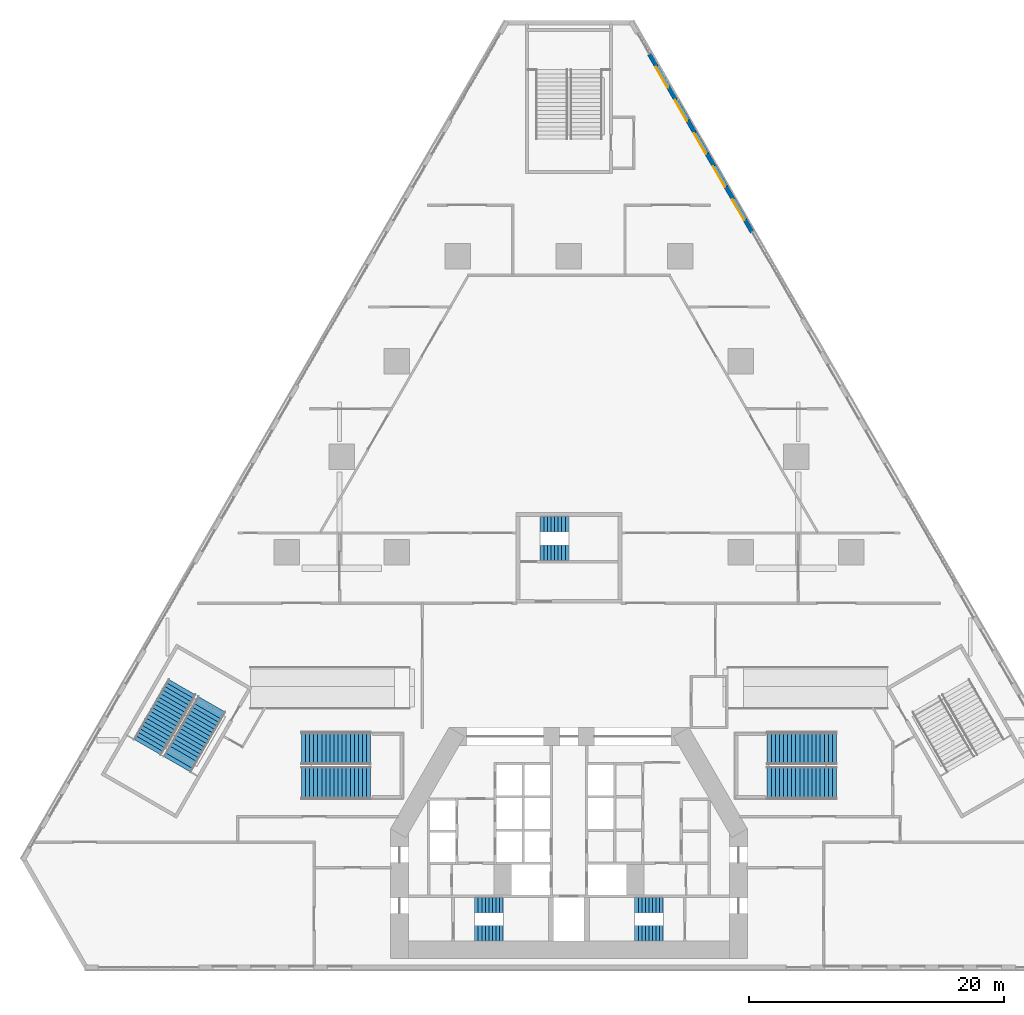
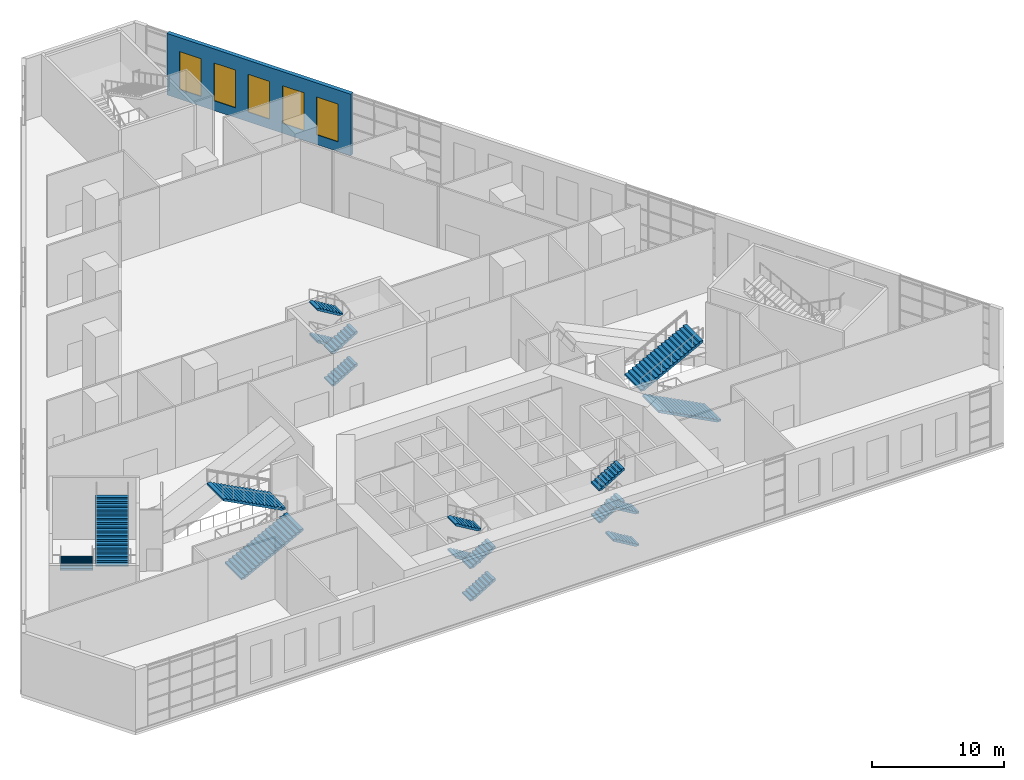
# One storey, part 20 of 27: 18 stair flights, 5 windows, 1 wall, 5 openings, 6 elements without a shape of their own.
"""IFC4 building model written with IfcOpenShell, lengths in metres."""

from ifc_helpers import new_model, si_unit, direction, frame, frame_2d, origin, place, context, subcontext, project, spatial, polyline, rectangle, outline, extrude, material, layer, layer_set, type_object, element, fill, aggregate, save


model = new_model("IFC4")

# Units and contexts
model_context = context("Model", 3, precision=1e-05, world=origin(), true_north=direction((0.0, 1.0)))
body_context = subcontext(model_context, "Body", "Model", "MODEL_VIEW")
ifc_project = project(units=[si_unit("LENGTHUNIT", "METRE"), si_unit("AREAUNIT", "SQUARE_METRE"), si_unit("VOLUMEUNIT", "CUBIC_METRE"), si_unit("PLANEANGLEUNIT", "RADIAN"), si_unit("MASSUNIT", "GRAM", prefix="KILO")], contexts=[model_context])

# Site, building, storey
site_placement = place(None, origin())
site = spatial("IfcSite", under=ifc_project, at=site_placement, CompositionType="ELEMENT")
building_placement = place(site_placement, origin())
building = spatial("IfcBuilding", under=site, at=building_placement, Name="Fogline Exchange Tower", CompositionType="ELEMENT")
storey_placement = place(building_placement, frame((0.0, 0.0, 8.0)))
storey = spatial("IfcBuildingStorey", under=building, at=storey_placement, Name="L01", CompositionType="ELEMENT", Elevation=8.0)

# Wall, openings, windows
ifc_material_1 = material(Name="Brick masonry", Category="masonry")
ifc_layer = layer(ifc_material_1, 0.340087890625)
ifc_layer_set = layer_set([ifc_layer], Name="FW1")
wall_type = type_object("IfcWallType", Name="FW1", PredefinedType="SOLIDWALL", material=ifc_layer_set)
wall_placement = place(storey_placement, frame((14.381591796875, 57.888916015625, 0.0), z_axis=(0.0, 0.0, 1.0), x_axis=(-0.500003967864, 0.866023112925, 0.0)))
wall = element("IfcWall", 1, at=wall_placement, inside=storey, type_object=wall_type, Name="Brick wall L01 E bay 4", PredefinedType="SOLIDWALL", context=body_context, shape_type="SweptSolid", body=[
    extrude(rectangle(XDim=16.114990234375, YDim=0.340087890625, at=frame_2d((8.0576171875, 0.0))), origin(), (0.0, 0.0, 1.0), 5.699951171875),
])
opening_1_placement = place(wall_placement, frame((1.114990234375, 0.0, 0.89990234375)))
opening_1 = element("IfcOpeningElement", 2, at=opening_1_placement, cuts=wall, Name="Opening W7", PredefinedType="OPENING", context=body_context, shape_type="SweptSolid", body=[
    extrude(rectangle(XDim=1.885009765625, YDim=3.5, at=frame_2d((0.9423828125, 1.75))), frame((0.0, 0.18017578125, 0.0), z_axis=(0.0, -1.0, 0.0), x_axis=(1.0, 0.0, 0.0)), (0.0, 0.0, 1.0), 0.360107421875),
])
opening_2_placement = place(wall_placement, frame((4.114990234375, 0.0, 0.89990234375)))
opening_2 = element("IfcOpeningElement", 3, at=opening_2_placement, cuts=wall, Name="Opening W7", PredefinedType="OPENING", context=body_context, shape_type="SweptSolid", body=[
    extrude(rectangle(XDim=1.885009765625, YDim=3.5, at=frame_2d((0.9423828125, 1.75))), frame((0.0, 0.18017578125, 0.0), z_axis=(0.0, -1.0, 0.0), x_axis=(1.0, 0.0, 0.0)), (0.0, 0.0, 1.0), 0.360107421875),
])
opening_3_placement = place(wall_placement, frame((7.114990234375, 0.0, 0.89990234375)))
opening_3 = element("IfcOpeningElement", 4, at=opening_3_placement, cuts=wall, Name="Opening W7", PredefinedType="OPENING", context=body_context, shape_type="SweptSolid", body=[
    extrude(rectangle(XDim=1.885009765625, YDim=3.5, at=frame_2d((0.9423828125, 1.75))), frame((0.0, 0.18017578125, 0.0), z_axis=(0.0, -1.0, 0.0), x_axis=(1.0, 0.0, 0.0)), (0.0, 0.0, 1.0), 0.360107421875),
])
opening_4_placement = place(wall_placement, frame((10.114990234375, 0.0, 0.89990234375)))
opening_4 = element("IfcOpeningElement", 5, at=opening_4_placement, cuts=wall, Name="Opening W7", PredefinedType="OPENING", context=body_context, shape_type="SweptSolid", body=[
    extrude(rectangle(XDim=1.885009765625, YDim=3.5, at=frame_2d((0.9423828125, 1.75))), frame((0.0, 0.18017578125, 0.0), z_axis=(0.0, -1.0, 0.0), x_axis=(1.0, 0.0, 0.0)), (0.0, 0.0, 1.0), 0.360107421875),
])
opening_5_placement = place(wall_placement, frame((13.114990234375, 0.0, 0.89990234375)))
opening_5 = element("IfcOpeningElement", 6, at=opening_5_placement, cuts=wall, Name="Opening W7", PredefinedType="OPENING", context=body_context, shape_type="SweptSolid", body=[
    extrude(rectangle(XDim=1.885009765625, YDim=3.5, at=frame_2d((0.9423828125, 1.75))), frame((0.0, 0.18017578125, 0.0), z_axis=(0.0, -1.0, 0.0), x_axis=(1.0, 0.0, 0.0)), (0.0, 0.0, 1.0), 0.360107421875),
])
ifc_material_2 = material(Name="Aluminium and glass", Category="aluminium")
window_type = type_object("IfcWindowType", Name="W7", PartitioningType="SINGLE_PANEL", PredefinedType="WINDOW", material=ifc_material_2)
window_1_placement = place(opening_1_placement, origin())
window_1 = element("IfcWindow", 7, at=window_1_placement, inside=storey, type_object=window_type, Name="W7 W7", OverallHeight=3.5, OverallWidth=1.885009765625, PartitioningType="SINGLE_PANEL", PredefinedType="WINDOW", context=body_context, shape_type="SweptSolid", body=[
    extrude(rectangle(XDim=1.885009765625, YDim=3.5, at=frame_2d((0.9423828125, 1.75))), frame((0.0, 0.110107421875, 0.0), z_axis=(0.0, -1.0, 0.0), x_axis=(1.0, 0.0, 0.0)), (0.0, 0.0, 1.0), 0.06005859375),
])
fill(opening_1, window_1)
window_2_placement = place(opening_2_placement, origin())
window_2 = element("IfcWindow", 8, at=window_2_placement, inside=storey, type_object=window_type, Name="W7 W7", OverallHeight=3.5, OverallWidth=1.885009765625, PartitioningType="SINGLE_PANEL", PredefinedType="WINDOW", context=body_context, shape_type="SweptSolid", body=[
    extrude(rectangle(XDim=1.885009765625, YDim=3.5, at=frame_2d((0.9423828125, 1.75))), frame((0.0, 0.110107421875, 0.0), z_axis=(0.0, -1.0, 0.0), x_axis=(1.0, 0.0, 0.0)), (0.0, 0.0, 1.0), 0.06005859375),
])
fill(opening_2, window_2)
window_3_placement = place(opening_3_placement, origin())
window_3 = element("IfcWindow", 9, at=window_3_placement, inside=storey, type_object=window_type, Name="W7 W7", OverallHeight=3.5, OverallWidth=1.885009765625, PartitioningType="SINGLE_PANEL", PredefinedType="WINDOW", context=body_context, shape_type="SweptSolid", body=[
    extrude(rectangle(XDim=1.885009765625, YDim=3.5, at=frame_2d((0.9423828125, 1.75))), frame((0.0, 0.110107421875, 0.0), z_axis=(0.0, -1.0, 0.0), x_axis=(1.0, 0.0, 0.0)), (0.0, 0.0, 1.0), 0.06005859375),
])
fill(opening_3, window_3)
window_4_placement = place(opening_4_placement, origin())
window_4 = element("IfcWindow", 10, at=window_4_placement, inside=storey, type_object=window_type, Name="W7 W7", OverallHeight=3.5, OverallWidth=1.885009765625, PartitioningType="SINGLE_PANEL", PredefinedType="WINDOW", context=body_context, shape_type="SweptSolid", body=[
    extrude(rectangle(XDim=1.885009765625, YDim=3.5, at=frame_2d((0.9423828125, 1.75))), frame((0.0, 0.110107421875, 0.0), z_axis=(0.0, -1.0, 0.0), x_axis=(1.0, 0.0, 0.0)), (0.0, 0.0, 1.0), 0.06005859375),
])
fill(opening_4, window_4)
window_5_placement = place(opening_5_placement, origin())
window_5 = element("IfcWindow", 11, at=window_5_placement, inside=storey, type_object=window_type, Name="W7 W7", OverallHeight=3.5, OverallWidth=1.885009765625, PartitioningType="SINGLE_PANEL", PredefinedType="WINDOW", context=body_context, shape_type="SweptSolid", body=[
    extrude(rectangle(XDim=1.885009765625, YDim=3.5, at=frame_2d((0.9423828125, 1.75))), frame((0.0, 0.110107421875, 0.0), z_axis=(0.0, -1.0, 0.0), x_axis=(1.0, 0.0, 0.0)), (0.0, 0.0, 1.0), 0.06005859375),
])
fill(opening_5, window_5)

# Stair, stair flights
ifc_material_3 = material(Name="Concrete C40", Category="concrete")
stair_type_1 = type_object("IfcStairType", Name="PSF0-36-1667", PredefinedType="HALF_TURN_STAIR", material=ifc_material_3)
stair_1_placement = place(storey_placement, origin())
stair_1 = element("IfcStair", 12, at=stair_1_placement, inside=storey, type_object=stair_type_1, Name="Stair ST4", PredefinedType="HALF_TURN_STAIR")
stair_flight_type_1 = type_object("IfcStairFlightType", Name="PSF1-18-1667", PredefinedType="STRAIGHT", material=ifc_material_3)
stair_flight_1_placement = place(storey_placement, frame((-30.3642578125, 22.1669921875, 0.0), z_axis=(0.0, 0.0, 1.0), x_axis=(-0.49997940255, -0.866037295401, 0.0)))
stair_flight_1 = element("IfcStairFlight", 13, at=stair_flight_1_placement, type_object=stair_flight_type_1, Name="ST4 flight 1", NumberOfRisers=18, NumberOfTreads=17, PredefinedType="STRAIGHT", RiserHeight=0.166666667, TreadLength=0.32, context=body_context, shape_type="SweptSolid", body=[
    extrude(outline(polyline([(0.0, 0.0), (0.0, 0.166748046875), (0.320068359375, 0.166748046875), (0.320068359375, 0.333251953125), (0.639892578125, 0.333251953125), (0.639892578125, 0.5), (0.9599609375, 0.5), (0.9599609375, 0.666748046875), (1.280029296875, 0.666748046875), (1.280029296875, 0.833251953125), (1.60009765625, 0.833251953125), (1.60009765625, 1.0), (1.919921875, 1.0), (1.919921875, 1.166748046875), (2.239990234375, 1.166748046875), (2.239990234375, 1.333251953125), (2.56005859375, 1.333251953125), (2.56005859375, 1.5), (2.8798828125, 1.5), (2.8798828125, 1.666748046875), (3.199951171875, 1.666748046875), (3.199951171875, 1.833251953125), (3.52001953125, 1.833251953125), (3.52001953125, 2.0), (3.840087890625, 2.0), (3.840087890625, 2.166748046875), (4.159912109375, 2.166748046875), (4.159912109375, 2.333251953125), (4.47998046875, 2.333251953125), (4.47998046875, 2.5), (4.800048828125, 2.5), (4.800048828125, 2.666748046875), (5.1201171875, 2.666748046875), (5.1201171875, 2.833251953125), (5.43994140625, 2.833251953125), (5.43994140625, 3.0), (5.43994140625, 2.664306640625), (0.324462890625, 0.0), (0.0, 0.0)])), frame((0.0, 1.25, 0.0), z_axis=(0.0, -1.0, 0.0), x_axis=(1.0, 0.0, 0.0)), (0.0, 0.0, 1.0), 2.5),
])
stair_flight_2_placement = place(storey_placement, frame((-30.745849609375, 16.105712890625, 3.0), z_axis=(0.0, 0.0, 1.0), x_axis=(0.49997940255, 0.866037295401, 0.0)))
stair_flight_2 = element("IfcStairFlight", 14, at=stair_flight_2_placement, type_object=stair_flight_type_1, Name="ST4 flight 2", NumberOfRisers=18, NumberOfTreads=17, PredefinedType="STRAIGHT", RiserHeight=0.166666667, TreadLength=0.32, context=body_context, shape_type="SweptSolid", body=[
    extrude(outline(polyline([(0.0, 0.0), (0.0, 0.166748046875), (0.320068359375, 0.166748046875), (0.320068359375, 0.333251953125), (0.639892578125, 0.333251953125), (0.639892578125, 0.5), (0.9599609375, 0.5), (0.9599609375, 0.666748046875), (1.280029296875, 0.666748046875), (1.280029296875, 0.833251953125), (1.60009765625, 0.833251953125), (1.60009765625, 1.0), (1.919921875, 1.0), (1.919921875, 1.166748046875), (2.239990234375, 1.166748046875), (2.239990234375, 1.333251953125), (2.56005859375, 1.333251953125), (2.56005859375, 1.5), (2.8798828125, 1.5), (2.8798828125, 1.666748046875), (3.199951171875, 1.666748046875), (3.199951171875, 1.833251953125), (3.52001953125, 1.833251953125), (3.52001953125, 2.0), (3.840087890625, 2.0), (3.840087890625, 2.166748046875), (4.159912109375, 2.166748046875), (4.159912109375, 2.333251953125), (4.47998046875, 2.333251953125), (4.47998046875, 2.5), (4.800048828125, 2.5), (4.800048828125, 2.666748046875), (5.1201171875, 2.666748046875), (5.1201171875, 2.833251953125), (5.43994140625, 2.833251953125), (5.43994140625, 3.0), (5.43994140625, 2.664306640625), (0.324462890625, 0.0), (0.0, 0.0)])), frame((0.0, 1.25, 0.0), z_axis=(0.0, -1.0, 0.0), x_axis=(1.0, 0.0, 0.0)), (0.0, 0.0, 1.0), 2.5),
])
aggregate(stair_1, [stair_flight_1, stair_flight_2])

stair_2_placement = place(storey_placement, origin())
stair_2 = element("IfcStair", 15, at=stair_2_placement, inside=storey, type_object=stair_type_1, Name="Public stair PS1", PredefinedType="HALF_TURN_STAIR")
stair_flight_3_placement = place(storey_placement, frame((-21.0, 14.64990234375, 0.0), z_axis=(0.0, 0.0, 1.0), x_axis=(1.0, 0.0, 0.0)))
stair_flight_3 = element("IfcStairFlight", 16, at=stair_flight_3_placement, type_object=stair_flight_type_1, Name="PS1 flight 1", NumberOfRisers=18, NumberOfTreads=17, PredefinedType="STRAIGHT", RiserHeight=0.166666667, TreadLength=0.32, context=body_context, shape_type="SweptSolid", body=[
    extrude(outline(polyline([(0.0, 0.0), (0.0, 0.166748046875), (0.320068359375, 0.166748046875), (0.320068359375, 0.333251953125), (0.639892578125, 0.333251953125), (0.639892578125, 0.5), (0.9599609375, 0.5), (0.9599609375, 0.666748046875), (1.280029296875, 0.666748046875), (1.280029296875, 0.833251953125), (1.60009765625, 0.833251953125), (1.60009765625, 1.0), (1.919921875, 1.0), (1.919921875, 1.166748046875), (2.239990234375, 1.166748046875), (2.239990234375, 1.333251953125), (2.56005859375, 1.333251953125), (2.56005859375, 1.5), (2.8798828125, 1.5), (2.8798828125, 1.666748046875), (3.199951171875, 1.666748046875), (3.199951171875, 1.833251953125), (3.52001953125, 1.833251953125), (3.52001953125, 2.0), (3.840087890625, 2.0), (3.840087890625, 2.166748046875), (4.159912109375, 2.166748046875), (4.159912109375, 2.333251953125), (4.47998046875, 2.333251953125), (4.47998046875, 2.5), (4.800048828125, 2.5), (4.800048828125, 2.666748046875), (5.1201171875, 2.666748046875), (5.1201171875, 2.833251953125), (5.43994140625, 2.833251953125), (5.43994140625, 3.0), (5.43994140625, 2.664306640625), (0.324462890625, 0.0), (0.0, 0.0)])), frame((0.0, 1.25, 0.0), z_axis=(0.0, -1.0, 0.0), x_axis=(1.0, 0.0, 0.0)), (0.0, 0.0, 1.0), 2.5),
])
stair_flight_4_placement = place(storey_placement, frame((-15.56005859375, 17.35009765625, 3.0), z_axis=(0.0, 0.0, 1.0), x_axis=(-1.0, 0.0, 0.0)))
stair_flight_4 = element("IfcStairFlight", 17, at=stair_flight_4_placement, type_object=stair_flight_type_1, Name="PS1 flight 2", NumberOfRisers=18, NumberOfTreads=17, PredefinedType="STRAIGHT", RiserHeight=0.166666667, TreadLength=0.32, context=body_context, shape_type="SweptSolid", body=[
    extrude(outline(polyline([(0.0, 0.0), (0.0, 0.166748046875), (0.320068359375, 0.166748046875), (0.320068359375, 0.333251953125), (0.639892578125, 0.333251953125), (0.639892578125, 0.5), (0.9599609375, 0.5), (0.9599609375, 0.666748046875), (1.280029296875, 0.666748046875), (1.280029296875, 0.833251953125), (1.60009765625, 0.833251953125), (1.60009765625, 1.0), (1.919921875, 1.0), (1.919921875, 1.166748046875), (2.239990234375, 1.166748046875), (2.239990234375, 1.333251953125), (2.56005859375, 1.333251953125), (2.56005859375, 1.5), (2.8798828125, 1.5), (2.8798828125, 1.666748046875), (3.199951171875, 1.666748046875), (3.199951171875, 1.833251953125), (3.52001953125, 1.833251953125), (3.52001953125, 2.0), (3.840087890625, 2.0), (3.840087890625, 2.166748046875), (4.159912109375, 2.166748046875), (4.159912109375, 2.333251953125), (4.47998046875, 2.333251953125), (4.47998046875, 2.5), (4.800048828125, 2.5), (4.800048828125, 2.666748046875), (5.1201171875, 2.666748046875), (5.1201171875, 2.833251953125), (5.43994140625, 2.833251953125), (5.43994140625, 3.0), (5.43994140625, 2.664306640625), (0.324462890625, 0.0), (0.0, 0.0)])), frame((0.0, 1.25, 0.0), z_axis=(0.0, -1.0, 0.0), x_axis=(1.0, 0.0, 0.0)), (0.0, 0.0, 1.0), 2.5),
])
aggregate(stair_2, [stair_flight_3, stair_flight_4])

stair_3_placement = place(storey_placement, origin())
stair_3 = element("IfcStair", 18, at=stair_3_placement, inside=storey, type_object=stair_type_1, Name="Public stair PS2", PredefinedType="HALF_TURN_STAIR")
stair_flight_5_placement = place(storey_placement, frame((21.0, 14.64990234375, 0.0), z_axis=(0.0, 0.0, 1.0), x_axis=(-1.0, 0.0, 0.0)))
stair_flight_5 = element("IfcStairFlight", 19, at=stair_flight_5_placement, type_object=stair_flight_type_1, Name="PS2 flight 1", NumberOfRisers=18, NumberOfTreads=17, PredefinedType="STRAIGHT", RiserHeight=0.166666667, TreadLength=0.32, context=body_context, shape_type="SweptSolid", body=[
    extrude(outline(polyline([(0.0, 0.0), (0.0, 0.166748046875), (0.320068359375, 0.166748046875), (0.320068359375, 0.333251953125), (0.639892578125, 0.333251953125), (0.639892578125, 0.5), (0.9599609375, 0.5), (0.9599609375, 0.666748046875), (1.280029296875, 0.666748046875), (1.280029296875, 0.833251953125), (1.60009765625, 0.833251953125), (1.60009765625, 1.0), (1.919921875, 1.0), (1.919921875, 1.166748046875), (2.239990234375, 1.166748046875), (2.239990234375, 1.333251953125), (2.56005859375, 1.333251953125), (2.56005859375, 1.5), (2.8798828125, 1.5), (2.8798828125, 1.666748046875), (3.199951171875, 1.666748046875), (3.199951171875, 1.833251953125), (3.52001953125, 1.833251953125), (3.52001953125, 2.0), (3.840087890625, 2.0), (3.840087890625, 2.166748046875), (4.159912109375, 2.166748046875), (4.159912109375, 2.333251953125), (4.47998046875, 2.333251953125), (4.47998046875, 2.5), (4.800048828125, 2.5), (4.800048828125, 2.666748046875), (5.1201171875, 2.666748046875), (5.1201171875, 2.833251953125), (5.43994140625, 2.833251953125), (5.43994140625, 3.0), (5.43994140625, 2.664306640625), (0.324462890625, 0.0), (0.0, 0.0)])), frame((0.0, 1.25, 0.0), z_axis=(0.0, -1.0, 0.0), x_axis=(1.0, 0.0, 0.0)), (0.0, 0.0, 1.0), 2.5),
])
stair_flight_6_placement = place(storey_placement, frame((15.56005859375, 17.35009765625, 3.0), z_axis=(0.0, 0.0, 1.0), x_axis=(1.0, 0.0, 0.0)))
stair_flight_6 = element("IfcStairFlight", 20, at=stair_flight_6_placement, type_object=stair_flight_type_1, Name="PS2 flight 2", NumberOfRisers=18, NumberOfTreads=17, PredefinedType="STRAIGHT", RiserHeight=0.166666667, TreadLength=0.32, context=body_context, shape_type="SweptSolid", body=[
    extrude(outline(polyline([(0.0, 0.0), (0.0, 0.166748046875), (0.320068359375, 0.166748046875), (0.320068359375, 0.333251953125), (0.639892578125, 0.333251953125), (0.639892578125, 0.5), (0.9599609375, 0.5), (0.9599609375, 0.666748046875), (1.280029296875, 0.666748046875), (1.280029296875, 0.833251953125), (1.60009765625, 0.833251953125), (1.60009765625, 1.0), (1.919921875, 1.0), (1.919921875, 1.166748046875), (2.239990234375, 1.166748046875), (2.239990234375, 1.333251953125), (2.56005859375, 1.333251953125), (2.56005859375, 1.5), (2.8798828125, 1.5), (2.8798828125, 1.666748046875), (3.199951171875, 1.666748046875), (3.199951171875, 1.833251953125), (3.52001953125, 1.833251953125), (3.52001953125, 2.0), (3.840087890625, 2.0), (3.840087890625, 2.166748046875), (4.159912109375, 2.166748046875), (4.159912109375, 2.333251953125), (4.47998046875, 2.333251953125), (4.47998046875, 2.5), (4.800048828125, 2.5), (4.800048828125, 2.666748046875), (5.1201171875, 2.666748046875), (5.1201171875, 2.833251953125), (5.43994140625, 2.833251953125), (5.43994140625, 3.0), (5.43994140625, 2.664306640625), (0.324462890625, 0.0), (0.0, 0.0)])), frame((0.0, 1.25, 0.0), z_axis=(0.0, -1.0, 0.0), x_axis=(1.0, 0.0, 0.0)), (0.0, 0.0, 1.0), 2.5),
])
aggregate(stair_3, [stair_flight_5, stair_flight_6])

stair_type_2 = type_object("IfcStairType", Name="STR36-1667W1200", PredefinedType="HALF_TURN_STAIR", material=ifc_material_3)
stair_4_placement = place(storey_placement, origin())
stair_4 = element("IfcStair", 21, at=stair_4_placement, inside=storey, type_object=stair_type_2, Name="Stair ST1", PredefinedType="HALF_TURN_STAIR")
stair_flight_type_2 = type_object("IfcStairFlightType", Name="SF9-1667W1200", PredefinedType="STRAIGHT", material=ifc_material_3)
stair_flight_7_placement = place(storey_placement, frame((-7.39990234375, 2.85009765625, 0.0), z_axis=(0.0, 0.0, 1.0), x_axis=(1.0, 0.0, 0.0)))
stair_flight_7 = element("IfcStairFlight", 22, at=stair_flight_7_placement, type_object=stair_flight_type_2, Name="ST1 flight 1", NumberOfRisers=9, NumberOfTreads=8, PredefinedType="STRAIGHT", RiserHeight=0.166666667, TreadLength=0.28, context=body_context, shape_type="SweptSolid", body=[
    extrude(outline(polyline([(0.0, 0.0), (0.0, 0.166748046875), (0.280029296875, 0.166748046875), (0.280029296875, 0.333251953125), (0.56005859375, 0.333251953125), (0.56005859375, 0.5), (0.840087890625, 0.5), (0.840087890625, 0.666748046875), (1.1201171875, 0.666748046875), (1.1201171875, 0.833251953125), (1.39990234375, 0.833251953125), (1.39990234375, 1.0), (1.679931640625, 1.0), (1.679931640625, 1.166748046875), (1.9599609375, 1.166748046875), (1.9599609375, 1.333251953125), (2.239990234375, 1.333251953125), (2.239990234375, 1.5), (2.239990234375, 1.158935546875), (0.29296875, 0.0), (0.0, 0.0)])), frame((0.0, 0.60009765625, 0.0), z_axis=(0.0, -1.0, 0.0), x_axis=(1.0, 0.0, 0.0)), (0.0, 0.0, 1.0), 1.199951171875),
])
stair_flight_8_placement = place(storey_placement, frame((-5.159912109375, 5.050048828125, 1.5), z_axis=(0.0, 0.0, 1.0), x_axis=(-1.0, 0.0, 0.0)))
stair_flight_8 = element("IfcStairFlight", 23, at=stair_flight_8_placement, type_object=stair_flight_type_2, Name="ST1 flight 2", NumberOfRisers=9, NumberOfTreads=8, PredefinedType="STRAIGHT", RiserHeight=0.166666667, TreadLength=0.28, context=body_context, shape_type="SweptSolid", body=[
    extrude(outline(polyline([(0.0, 0.0), (0.0, 0.166748046875), (0.280029296875, 0.166748046875), (0.280029296875, 0.333251953125), (0.56005859375, 0.333251953125), (0.56005859375, 0.5), (0.840087890625, 0.5), (0.840087890625, 0.666748046875), (1.1201171875, 0.666748046875), (1.1201171875, 0.833251953125), (1.39990234375, 0.833251953125), (1.39990234375, 1.0), (1.679931640625, 1.0), (1.679931640625, 1.166748046875), (1.9599609375, 1.166748046875), (1.9599609375, 1.333251953125), (2.239990234375, 1.333251953125), (2.239990234375, 1.5), (2.239990234375, 1.158935546875), (0.29296875, 0.0), (0.0, 0.0)])), frame((0.0, 0.60009765625, 0.0), z_axis=(0.0, -1.0, 0.0), x_axis=(1.0, 0.0, 0.0)), (0.0, 0.0, 1.0), 1.199951171875),
])
stair_flight_9_placement = place(storey_placement, frame((-7.39990234375, 2.85009765625, 3.0), z_axis=(0.0, 0.0, 1.0), x_axis=(1.0, 0.0, 0.0)))
stair_flight_9 = element("IfcStairFlight", 24, at=stair_flight_9_placement, type_object=stair_flight_type_2, Name="ST1 flight 3", NumberOfRisers=9, NumberOfTreads=8, PredefinedType="STRAIGHT", RiserHeight=0.166666667, TreadLength=0.28, context=body_context, shape_type="SweptSolid", body=[
    extrude(outline(polyline([(0.0, 0.0), (0.0, 0.166748046875), (0.280029296875, 0.166748046875), (0.280029296875, 0.333251953125), (0.56005859375, 0.333251953125), (0.56005859375, 0.5), (0.840087890625, 0.5), (0.840087890625, 0.666748046875), (1.1201171875, 0.666748046875), (1.1201171875, 0.833251953125), (1.39990234375, 0.833251953125), (1.39990234375, 1.0), (1.679931640625, 1.0), (1.679931640625, 1.166748046875), (1.9599609375, 1.166748046875), (1.9599609375, 1.333251953125), (2.239990234375, 1.333251953125), (2.239990234375, 1.5), (2.239990234375, 1.158935546875), (0.29296875, 0.0), (0.0, 0.0)])), frame((0.0, 0.60009765625, 0.0), z_axis=(0.0, -1.0, 0.0), x_axis=(1.0, 0.0, 0.0)), (0.0, 0.0, 1.0), 1.199951171875),
])
stair_flight_10_placement = place(storey_placement, frame((-5.159912109375, 5.050048828125, 4.5), z_axis=(0.0, 0.0, 1.0), x_axis=(-1.0, 0.0, 0.0)))
stair_flight_10 = element("IfcStairFlight", 25, at=stair_flight_10_placement, type_object=stair_flight_type_2, Name="ST1 flight 4", NumberOfRisers=9, NumberOfTreads=8, PredefinedType="STRAIGHT", RiserHeight=0.166666667, TreadLength=0.28, context=body_context, shape_type="SweptSolid", body=[
    extrude(outline(polyline([(0.0, 0.0), (0.0, 0.166748046875), (0.280029296875, 0.166748046875), (0.280029296875, 0.333251953125), (0.56005859375, 0.333251953125), (0.56005859375, 0.5), (0.840087890625, 0.5), (0.840087890625, 0.666748046875), (1.1201171875, 0.666748046875), (1.1201171875, 0.833251953125), (1.39990234375, 0.833251953125), (1.39990234375, 1.0), (1.679931640625, 1.0), (1.679931640625, 1.166748046875), (1.9599609375, 1.166748046875), (1.9599609375, 1.333251953125), (2.239990234375, 1.333251953125), (2.239990234375, 1.5), (2.239990234375, 1.158935546875), (0.29296875, 0.0), (0.0, 0.0)])), frame((0.0, 0.60009765625, 0.0), z_axis=(0.0, -1.0, 0.0), x_axis=(1.0, 0.0, 0.0)), (0.0, 0.0, 1.0), 1.199951171875),
])
aggregate(stair_4, [stair_flight_7, stair_flight_8, stair_flight_9, stair_flight_10])

stair_5_placement = place(storey_placement, origin())
stair_5 = element("IfcStair", 26, at=stair_5_placement, inside=storey, type_object=stair_type_2, Name="Stair ST2", PredefinedType="HALF_TURN_STAIR")
stair_flight_11_placement = place(storey_placement, frame((7.39990234375, 2.85009765625, 0.0), z_axis=(0.0, 0.0, 1.0), x_axis=(-1.0, 0.0, 0.0)))
stair_flight_11 = element("IfcStairFlight", 27, at=stair_flight_11_placement, type_object=stair_flight_type_2, Name="ST2 flight 1", NumberOfRisers=9, NumberOfTreads=8, PredefinedType="STRAIGHT", RiserHeight=0.166666667, TreadLength=0.28, context=body_context, shape_type="SweptSolid", body=[
    extrude(outline(polyline([(0.0, 0.0), (0.0, 0.166748046875), (0.280029296875, 0.166748046875), (0.280029296875, 0.333251953125), (0.56005859375, 0.333251953125), (0.56005859375, 0.5), (0.840087890625, 0.5), (0.840087890625, 0.666748046875), (1.1201171875, 0.666748046875), (1.1201171875, 0.833251953125), (1.39990234375, 0.833251953125), (1.39990234375, 1.0), (1.679931640625, 1.0), (1.679931640625, 1.166748046875), (1.9599609375, 1.166748046875), (1.9599609375, 1.333251953125), (2.239990234375, 1.333251953125), (2.239990234375, 1.5), (2.239990234375, 1.158935546875), (0.29296875, 0.0), (0.0, 0.0)])), frame((0.0, 0.60009765625, 0.0), z_axis=(0.0, -1.0, 0.0), x_axis=(1.0, 0.0, 0.0)), (0.0, 0.0, 1.0), 1.199951171875),
])
stair_flight_12_placement = place(storey_placement, frame((5.159912109375, 5.050048828125, 1.5), z_axis=(0.0, 0.0, 1.0), x_axis=(1.0, 0.0, 0.0)))
stair_flight_12 = element("IfcStairFlight", 28, at=stair_flight_12_placement, type_object=stair_flight_type_2, Name="ST2 flight 2", NumberOfRisers=9, NumberOfTreads=8, PredefinedType="STRAIGHT", RiserHeight=0.166666667, TreadLength=0.28, context=body_context, shape_type="SweptSolid", body=[
    extrude(outline(polyline([(0.0, 0.0), (0.0, 0.166748046875), (0.280029296875, 0.166748046875), (0.280029296875, 0.333251953125), (0.56005859375, 0.333251953125), (0.56005859375, 0.5), (0.840087890625, 0.5), (0.840087890625, 0.666748046875), (1.1201171875, 0.666748046875), (1.1201171875, 0.833251953125), (1.39990234375, 0.833251953125), (1.39990234375, 1.0), (1.679931640625, 1.0), (1.679931640625, 1.166748046875), (1.9599609375, 1.166748046875), (1.9599609375, 1.333251953125), (2.239990234375, 1.333251953125), (2.239990234375, 1.5), (2.239990234375, 1.158935546875), (0.29296875, 0.0), (0.0, 0.0)])), frame((0.0, 0.60009765625, 0.0), z_axis=(0.0, -1.0, 0.0), x_axis=(1.0, 0.0, 0.0)), (0.0, 0.0, 1.0), 1.199951171875),
])
stair_flight_13_placement = place(storey_placement, frame((7.39990234375, 2.85009765625, 3.0), z_axis=(0.0, 0.0, 1.0), x_axis=(-1.0, 0.0, 0.0)))
stair_flight_13 = element("IfcStairFlight", 29, at=stair_flight_13_placement, type_object=stair_flight_type_2, Name="ST2 flight 3", NumberOfRisers=9, NumberOfTreads=8, PredefinedType="STRAIGHT", RiserHeight=0.166666667, TreadLength=0.28, context=body_context, shape_type="SweptSolid", body=[
    extrude(outline(polyline([(0.0, 0.0), (0.0, 0.166748046875), (0.280029296875, 0.166748046875), (0.280029296875, 0.333251953125), (0.56005859375, 0.333251953125), (0.56005859375, 0.5), (0.840087890625, 0.5), (0.840087890625, 0.666748046875), (1.1201171875, 0.666748046875), (1.1201171875, 0.833251953125), (1.39990234375, 0.833251953125), (1.39990234375, 1.0), (1.679931640625, 1.0), (1.679931640625, 1.166748046875), (1.9599609375, 1.166748046875), (1.9599609375, 1.333251953125), (2.239990234375, 1.333251953125), (2.239990234375, 1.5), (2.239990234375, 1.158935546875), (0.29296875, 0.0), (0.0, 0.0)])), frame((0.0, 0.60009765625, 0.0), z_axis=(0.0, -1.0, 0.0), x_axis=(1.0, 0.0, 0.0)), (0.0, 0.0, 1.0), 1.199951171875),
])
stair_flight_14_placement = place(storey_placement, frame((5.159912109375, 5.050048828125, 4.5), z_axis=(0.0, 0.0, 1.0), x_axis=(1.0, 0.0, 0.0)))
stair_flight_14 = element("IfcStairFlight", 30, at=stair_flight_14_placement, type_object=stair_flight_type_2, Name="ST2 flight 4", NumberOfRisers=9, NumberOfTreads=8, PredefinedType="STRAIGHT", RiserHeight=0.166666667, TreadLength=0.28, context=body_context, shape_type="SweptSolid", body=[
    extrude(outline(polyline([(0.0, 0.0), (0.0, 0.166748046875), (0.280029296875, 0.166748046875), (0.280029296875, 0.333251953125), (0.56005859375, 0.333251953125), (0.56005859375, 0.5), (0.840087890625, 0.5), (0.840087890625, 0.666748046875), (1.1201171875, 0.666748046875), (1.1201171875, 0.833251953125), (1.39990234375, 0.833251953125), (1.39990234375, 1.0), (1.679931640625, 1.0), (1.679931640625, 1.166748046875), (1.9599609375, 1.166748046875), (1.9599609375, 1.333251953125), (2.239990234375, 1.333251953125), (2.239990234375, 1.5), (2.239990234375, 1.158935546875), (0.29296875, 0.0), (0.0, 0.0)])), frame((0.0, 0.60009765625, 0.0), z_axis=(0.0, -1.0, 0.0), x_axis=(1.0, 0.0, 0.0)), (0.0, 0.0, 1.0), 1.199951171875),
])
aggregate(stair_5, [stair_flight_11, stair_flight_12, stair_flight_13, stair_flight_14])

stair_6_placement = place(storey_placement, origin())
stair_6 = element("IfcStair", 31, at=stair_6_placement, inside=storey, type_object=stair_type_2, Name="Stair ST3", PredefinedType="HALF_TURN_STAIR")
stair_flight_15_placement = place(storey_placement, frame((-2.25, 32.70703125, 0.0), z_axis=(0.0, 0.0, 1.0), x_axis=(1.0, 0.0, 0.0)))
stair_flight_15 = element("IfcStairFlight", 32, at=stair_flight_15_placement, type_object=stair_flight_type_2, Name="ST3 flight 1", NumberOfRisers=9, NumberOfTreads=8, PredefinedType="STRAIGHT", RiserHeight=0.166666667, TreadLength=0.28, context=body_context, shape_type="SweptSolid", body=[
    extrude(outline(polyline([(0.0, 0.0), (0.0, 0.166748046875), (0.280029296875, 0.166748046875), (0.280029296875, 0.333251953125), (0.56005859375, 0.333251953125), (0.56005859375, 0.5), (0.840087890625, 0.5), (0.840087890625, 0.666748046875), (1.1201171875, 0.666748046875), (1.1201171875, 0.833251953125), (1.39990234375, 0.833251953125), (1.39990234375, 1.0), (1.679931640625, 1.0), (1.679931640625, 1.166748046875), (1.9599609375, 1.166748046875), (1.9599609375, 1.333251953125), (2.239990234375, 1.333251953125), (2.239990234375, 1.5), (2.239990234375, 1.158935546875), (0.29296875, 0.0), (0.0, 0.0)])), frame((0.0, 0.60009765625, 0.0), z_axis=(0.0, -1.0, 0.0), x_axis=(1.0, 0.0, 0.0)), (0.0, 0.0, 1.0), 1.199951171875),
])
stair_flight_16_placement = place(storey_placement, frame((-0.010009765625, 34.95703125, 1.5), z_axis=(0.0, 0.0, 1.0), x_axis=(-1.0, 0.0, 0.0)))
stair_flight_16 = element("IfcStairFlight", 33, at=stair_flight_16_placement, type_object=stair_flight_type_2, Name="ST3 flight 2", NumberOfRisers=9, NumberOfTreads=8, PredefinedType="STRAIGHT", RiserHeight=0.166666667, TreadLength=0.28, context=body_context, shape_type="SweptSolid", body=[
    extrude(outline(polyline([(0.0, 0.0), (0.0, 0.166748046875), (0.280029296875, 0.166748046875), (0.280029296875, 0.333251953125), (0.56005859375, 0.333251953125), (0.56005859375, 0.5), (0.840087890625, 0.5), (0.840087890625, 0.666748046875), (1.1201171875, 0.666748046875), (1.1201171875, 0.833251953125), (1.39990234375, 0.833251953125), (1.39990234375, 1.0), (1.679931640625, 1.0), (1.679931640625, 1.166748046875), (1.9599609375, 1.166748046875), (1.9599609375, 1.333251953125), (2.239990234375, 1.333251953125), (2.239990234375, 1.5), (2.239990234375, 1.158935546875), (0.29296875, 0.0), (0.0, 0.0)])), frame((0.0, 0.60009765625, 0.0), z_axis=(0.0, -1.0, 0.0), x_axis=(1.0, 0.0, 0.0)), (0.0, 0.0, 1.0), 1.199951171875),
])
stair_flight_17_placement = place(storey_placement, frame((-2.25, 32.70703125, 3.0), z_axis=(0.0, 0.0, 1.0), x_axis=(1.0, 0.0, 0.0)))
stair_flight_17 = element("IfcStairFlight", 34, at=stair_flight_17_placement, type_object=stair_flight_type_2, Name="ST3 flight 3", NumberOfRisers=9, NumberOfTreads=8, PredefinedType="STRAIGHT", RiserHeight=0.166666667, TreadLength=0.28, context=body_context, shape_type="SweptSolid", body=[
    extrude(outline(polyline([(0.0, 0.0), (0.0, 0.166748046875), (0.280029296875, 0.166748046875), (0.280029296875, 0.333251953125), (0.56005859375, 0.333251953125), (0.56005859375, 0.5), (0.840087890625, 0.5), (0.840087890625, 0.666748046875), (1.1201171875, 0.666748046875), (1.1201171875, 0.833251953125), (1.39990234375, 0.833251953125), (1.39990234375, 1.0), (1.679931640625, 1.0), (1.679931640625, 1.166748046875), (1.9599609375, 1.166748046875), (1.9599609375, 1.333251953125), (2.239990234375, 1.333251953125), (2.239990234375, 1.5), (2.239990234375, 1.158935546875), (0.29296875, 0.0), (0.0, 0.0)])), frame((0.0, 0.60009765625, 0.0), z_axis=(0.0, -1.0, 0.0), x_axis=(1.0, 0.0, 0.0)), (0.0, 0.0, 1.0), 1.199951171875),
])
stair_flight_18_placement = place(storey_placement, frame((-0.010009765625, 34.95703125, 4.5), z_axis=(0.0, 0.0, 1.0), x_axis=(-1.0, 0.0, 0.0)))
stair_flight_18 = element("IfcStairFlight", 35, at=stair_flight_18_placement, type_object=stair_flight_type_2, Name="ST3 flight 4", NumberOfRisers=9, NumberOfTreads=8, PredefinedType="STRAIGHT", RiserHeight=0.166666667, TreadLength=0.28, context=body_context, shape_type="SweptSolid", body=[
    extrude(outline(polyline([(0.0, 0.0), (0.0, 0.166748046875), (0.280029296875, 0.166748046875), (0.280029296875, 0.333251953125), (0.56005859375, 0.333251953125), (0.56005859375, 0.5), (0.840087890625, 0.5), (0.840087890625, 0.666748046875), (1.1201171875, 0.666748046875), (1.1201171875, 0.833251953125), (1.39990234375, 0.833251953125), (1.39990234375, 1.0), (1.679931640625, 1.0), (1.679931640625, 1.166748046875), (1.9599609375, 1.166748046875), (1.9599609375, 1.333251953125), (2.239990234375, 1.333251953125), (2.239990234375, 1.5), (2.239990234375, 1.158935546875), (0.29296875, 0.0), (0.0, 0.0)])), frame((0.0, 0.60009765625, 0.0), z_axis=(0.0, -1.0, 0.0), x_axis=(1.0, 0.0, 0.0)), (0.0, 0.0, 1.0), 1.199951171875),
])
aggregate(stair_6, [stair_flight_15, stair_flight_16, stair_flight_17, stair_flight_18])

save(model, "model.ifc")
